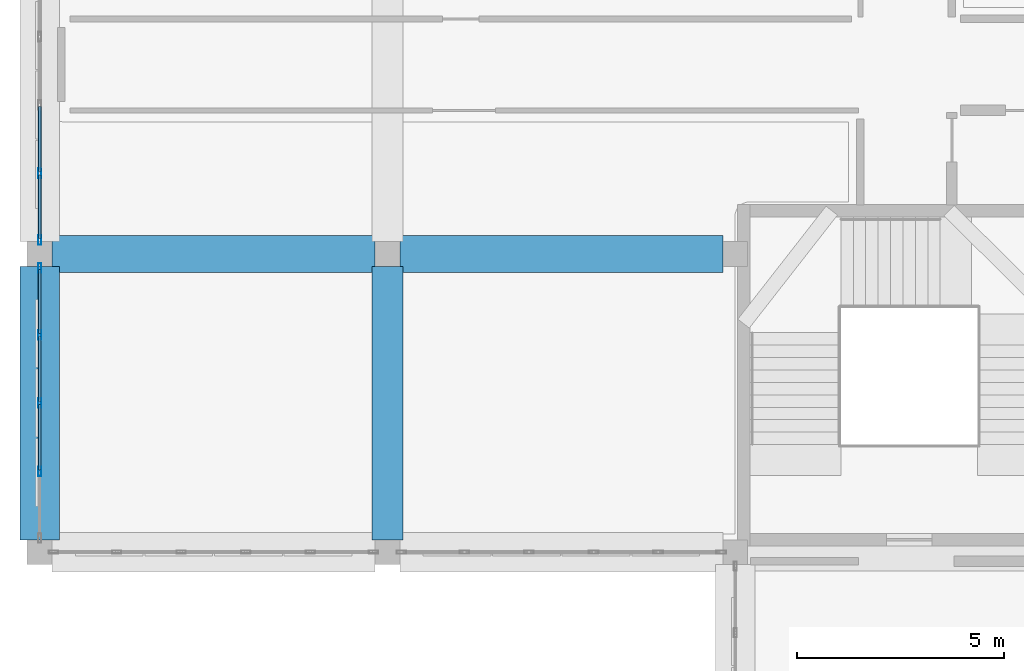
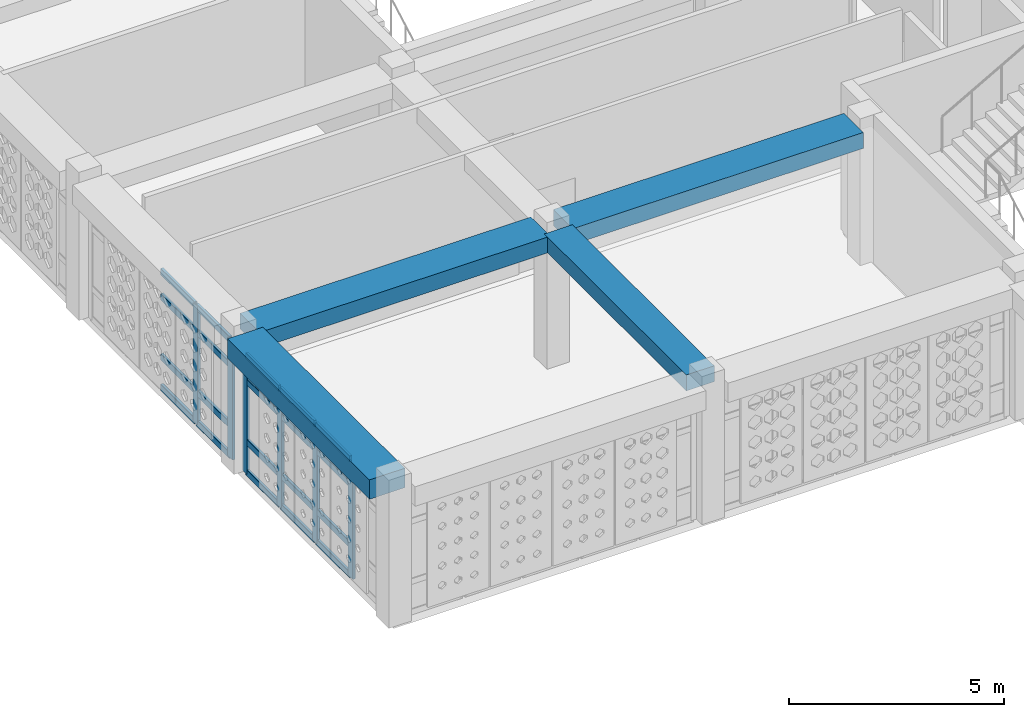
# One storey, part 5 of 48: 26 members, 4 beams, 2 elements without a shape of their own.
"""IFC4 building model written with IfcOpenShell, lengths in metres."""

from ifc_helpers import new_model, si_unit, derived_unit, direction, frame, origin, origin_2d, place, context, subcontext, project, spatial, rectangle, hollow_rectangle, extrude, material, material_profile, profile_set, type_object, element, aggregate, save


model = new_model("IFC4")

# Units and contexts
model_context = context("Model", 3, precision=1e-05, world=origin(), true_north=direction((0.0, 1.0)))
body_context = subcontext(model_context, "Body", "Model", "MODEL_VIEW")
ifc_project = project(units=[si_unit("LENGTHUNIT", "METRE"), si_unit("AREAUNIT", "SQUARE_METRE"), si_unit("VOLUMEUNIT", "CUBIC_METRE"), si_unit("PLANEANGLEUNIT", "RADIAN"), si_unit("MASSUNIT", "GRAM", prefix="KILO"), derived_unit("THERMALTRANSMITTANCEUNIT", [(si_unit("POWERUNIT", "WATT"), 1), (si_unit("LENGTHUNIT", "METRE"), -2), (si_unit("THERMODYNAMICTEMPERATUREUNIT", "KELVIN"), -1)])], contexts=[model_context])

# Site, building, storey
site_placement = place(None, origin())
site = spatial("IfcSite", under=ifc_project, at=site_placement, CompositionType="ELEMENT")
building_placement = place(site_placement, origin())
building = spatial("IfcBuilding", under=site, at=building_placement, Name="Veybourne Emporium", CompositionType="ELEMENT")
storey_placement = place(building_placement, frame((0.0, 0.0, 27.89990234375)))
storey = spatial("IfcBuildingStorey", under=building, at=storey_placement, Name="L06", CompositionType="ELEMENT", Elevation=27.89990234375)

# Curtain wall, members
ifc_material_1 = material(Name="Patinated Architectural Bronze", Category="bronze")
curtain_wall_type_1 = type_object("IfcCurtainWallType", Name="CWSystem_CWS-10", PredefinedType="NOTDEFINED", material=ifc_material_1)
curtain_wall_1_placement = place(storey_placement, origin())
curtain_wall_1 = element("IfcCurtainWall", 1, at=curtain_wall_1_placement, inside=storey, type_object=curtain_wall_type_1, Name="L06 bronze glazed curtain wall CWS-10 (002)", PredefinedType="NOTDEFINED")
ifc_material_profile_1 = material_profile(ifc_material_1, hollow_rectangle(XDim=0.074951171875, YDim=0.22998046875, WallThickness=0.0048828125, InnerFilletRadius=0.007568359375, OuterFilletRadius=0.012451171875, at=origin_2d()), Name="CWM 75x230x5")
ifc_profile_set_1 = profile_set([ifc_material_profile_1], Name="Patinated Architectural Bronze")
member_type_1 = type_object("IfcMemberType", Name="CWMullion_CW-M2", PredefinedType="MULLION", material=ifc_profile_set_1)
member_1_placement = place(storey_placement, frame((0.0, 16.35009765625, 0.0), z_axis=(0.0, 0.0, 1.0), x_axis=(-1.0, 0.0, 0.0)))
member_1 = element("IfcMember", 2, at=member_1_placement, type_object=member_type_1, Name="CWS-10 mullion 2", PredefinedType="MULLION", context=body_context, shape_type="SweptSolid", body=[
    extrude(hollow_rectangle(XDim=0.074951171875, YDim=0.22998046875, WallThickness=0.0048828125, InnerFilletRadius=0.007568359375, OuterFilletRadius=0.012451171875, at=origin_2d()), origin(), (0.0, 0.0, 1.0), 3.360107421875),
])
member_2_placement = place(storey_placement, frame((0.0, 18.0, 0.0), z_axis=(0.0, 0.0, 1.0), x_axis=(-1.0, 0.0, 0.0)))
member_2 = element("IfcMember", 3, at=member_2_placement, type_object=member_type_1, Name="CWS-10 mullion 3", PredefinedType="MULLION", context=body_context, shape_type="SweptSolid", body=[
    extrude(hollow_rectangle(XDim=0.074951171875, YDim=0.22998046875, WallThickness=0.0048828125, InnerFilletRadius=0.007568359375, OuterFilletRadius=0.012451171875, at=origin_2d()), origin(), (0.0, 0.0, 1.0), 3.360107421875),
])
member_3_placement = place(storey_placement, frame((0.0, 19.64990234375, 0.0), z_axis=(0.0, 0.0, 1.0), x_axis=(-1.0, 0.0, 0.0)))
member_3 = element("IfcMember", 4, at=member_3_placement, type_object=member_type_1, Name="CWS-10 mullion 4", PredefinedType="MULLION", context=body_context, shape_type="SweptSolid", body=[
    extrude(hollow_rectangle(XDim=0.074951171875, YDim=0.22998046875, WallThickness=0.0048828125, InnerFilletRadius=0.007568359375, OuterFilletRadius=0.012451171875, at=origin_2d()), origin(), (0.0, 0.0, 1.0), 3.360107421875),
])
member_4_placement = place(storey_placement, frame((0.0, 21.262451171875, 0.0), z_axis=(0.0, 0.0, 1.0), x_axis=(-1.0, 0.0, 0.0)))
member_4 = element("IfcMember", 5, at=member_4_placement, type_object=member_type_1, Name="CWS-10 mullion 5", PredefinedType="MULLION", context=body_context, shape_type="SweptSolid", body=[
    extrude(hollow_rectangle(XDim=0.074951171875, YDim=0.22998046875, WallThickness=0.0048828125, InnerFilletRadius=0.007568359375, OuterFilletRadius=0.012451171875, at=origin_2d()), origin(), (0.0, 0.0, 1.0), 3.360107421875),
])

curtain_wall_type_2 = type_object("IfcCurtainWallType", Name="CWSystem_CWS-11", PredefinedType="NOTDEFINED", material=ifc_material_1)
curtain_wall_2_placement = place(storey_placement, origin())
curtain_wall_2 = element("IfcCurtainWall", 6, at=curtain_wall_2_placement, inside=storey, type_object=curtain_wall_type_2, Name="L06 bronze glazed curtain wall CWS-11 (003)", PredefinedType="NOTDEFINED")
ifc_material_profile_2 = material_profile(ifc_material_1, hollow_rectangle(XDim=0.077880859375, YDim=0.235107421875, WallThickness=0.0048828125, InnerFilletRadius=0.007568359375, OuterFilletRadius=0.012451171875, at=origin_2d()), Name="CWM 78x235x5")
ifc_profile_set_2 = profile_set([ifc_material_profile_2], Name="Patinated Architectural Bronze")
member_type_2 = type_object("IfcMemberType", Name="CWMullion_CW-M3", PredefinedType="MULLION", material=ifc_profile_set_2)
member_5_placement = place(storey_placement, frame((0.0, 21.93896484375, 0.0), z_axis=(0.0, 0.0, 1.0), x_axis=(-1.0, 0.0, 0.0)))
member_5 = element("IfcMember", 7, at=member_5_placement, type_object=member_type_2, Name="CWS-11 mullion 1", PredefinedType="MULLION", context=body_context, shape_type="SweptSolid", body=[
    extrude(hollow_rectangle(XDim=0.077880859375, YDim=0.235107421875, WallThickness=0.0048828125, InnerFilletRadius=0.007568359375, OuterFilletRadius=0.012451171875, at=origin_2d()), origin(), (0.0, 0.0, 1.0), 3.360107421875),
])
member_6_placement = place(storey_placement, frame((0.0, 23.550048828125, 0.0), z_axis=(0.0, 0.0, 1.0), x_axis=(-1.0, 0.0, 0.0)))
member_6 = element("IfcMember", 8, at=member_6_placement, type_object=member_type_2, Name="CWS-11 mullion 2", PredefinedType="MULLION", context=body_context, shape_type="SweptSolid", body=[
    extrude(hollow_rectangle(XDim=0.077880859375, YDim=0.235107421875, WallThickness=0.0048828125, InnerFilletRadius=0.007568359375, OuterFilletRadius=0.012451171875, at=origin_2d()), origin(), (0.0, 0.0, 1.0), 3.360107421875),
])

# Member
ifc_material_profile_3 = material_profile(ifc_material_1, hollow_rectangle(XDim=0.074951171875, YDim=0.179931640625, WallThickness=0.0048828125, InnerFilletRadius=0.007568359375, OuterFilletRadius=0.012451171875, at=origin_2d()), Name="CWT 75x180x5")
ifc_profile_set_3 = profile_set([ifc_material_profile_3], Name="Patinated Architectural Bronze")
member_type_3 = type_object("IfcMemberType", Name="CWTransom_CW-T2", PredefinedType="NOTDEFINED", material=ifc_profile_set_3)
member_7_placement = place(storey_placement, frame((0.0, 16.387451171875, 0.03759765625), z_axis=(0.0, 1.0, 0.0), x_axis=(-1.0, 0.0, 0.0)))
member_7 = element("IfcMember", 9, at=member_7_placement, type_object=member_type_3, Name="CWS-10 transom 2.1", ObjectType="TRANSOM", PredefinedType="USERDEFINED", context=body_context, shape_type="SweptSolid", body=[
    extrude(hollow_rectangle(XDim=0.074951171875, YDim=0.179931640625, WallThickness=0.0048828125, InnerFilletRadius=0.007568359375, OuterFilletRadius=0.012451171875, at=origin_2d()), origin(), (0.0, 0.0, 1.0), 1.574951171875),
])

member_8_placement = place(storey_placement, frame((0.0, 16.387451171875, 0.900146484375), z_axis=(0.0, 1.0, 0.0), x_axis=(-1.0, 0.0, 0.0)))
member_8 = element("IfcMember", 10, at=member_8_placement, type_object=member_type_3, Name="CWS-10 transom 2.2", ObjectType="TRANSOM", PredefinedType="USERDEFINED", context=body_context, shape_type="SweptSolid", body=[
    extrude(hollow_rectangle(XDim=0.074951171875, YDim=0.179931640625, WallThickness=0.0048828125, InnerFilletRadius=0.007568359375, OuterFilletRadius=0.012451171875, at=origin_2d()), origin(), (0.0, 0.0, 1.0), 1.574951171875),
])

member_9_placement = place(storey_placement, frame((0.0, 16.387451171875, 2.610107421875), z_axis=(0.0, 1.0, 0.0), x_axis=(-1.0, 0.0, 0.0)))
member_9 = element("IfcMember", 11, at=member_9_placement, type_object=member_type_3, Name="CWS-10 transom 2.3", ObjectType="TRANSOM", PredefinedType="USERDEFINED", context=body_context, shape_type="SweptSolid", body=[
    extrude(hollow_rectangle(XDim=0.074951171875, YDim=0.179931640625, WallThickness=0.0048828125, InnerFilletRadius=0.007568359375, OuterFilletRadius=0.012451171875, at=origin_2d()), origin(), (0.0, 0.0, 1.0), 1.574951171875),
])

member_10_placement = place(storey_placement, frame((0.0, 16.387451171875, 3.322509765625), z_axis=(0.0, 1.0, 0.0), x_axis=(-1.0, 0.0, 0.0)))
member_10 = element("IfcMember", 12, at=member_10_placement, type_object=member_type_3, Name="CWS-10 transom 2.4", ObjectType="TRANSOM", PredefinedType="USERDEFINED", context=body_context, shape_type="SweptSolid", body=[
    extrude(hollow_rectangle(XDim=0.074951171875, YDim=0.179931640625, WallThickness=0.0048828125, InnerFilletRadius=0.007568359375, OuterFilletRadius=0.012451171875, at=origin_2d()), origin(), (0.0, 0.0, 1.0), 1.574951171875),
])

member_11_placement = place(storey_placement, frame((0.0, 18.03759765625, 0.03759765625), z_axis=(0.0, 1.0, 0.0), x_axis=(-1.0, 0.0, 0.0)))
member_11 = element("IfcMember", 13, at=member_11_placement, type_object=member_type_3, Name="CWS-10 transom 3.1", ObjectType="TRANSOM", PredefinedType="USERDEFINED", context=body_context, shape_type="SweptSolid", body=[
    extrude(hollow_rectangle(XDim=0.074951171875, YDim=0.179931640625, WallThickness=0.0048828125, InnerFilletRadius=0.007568359375, OuterFilletRadius=0.012451171875, at=origin_2d()), origin(), (0.0, 0.0, 1.0), 1.574951171875),
])

member_12_placement = place(storey_placement, frame((0.0, 18.03759765625, 0.900146484375), z_axis=(0.0, 1.0, 0.0), x_axis=(-1.0, 0.0, 0.0)))
member_12 = element("IfcMember", 14, at=member_12_placement, type_object=member_type_3, Name="CWS-10 transom 3.2", ObjectType="TRANSOM", PredefinedType="USERDEFINED", context=body_context, shape_type="SweptSolid", body=[
    extrude(hollow_rectangle(XDim=0.074951171875, YDim=0.179931640625, WallThickness=0.0048828125, InnerFilletRadius=0.007568359375, OuterFilletRadius=0.012451171875, at=origin_2d()), origin(), (0.0, 0.0, 1.0), 1.574951171875),
])

member_13_placement = place(storey_placement, frame((0.0, 18.03759765625, 2.610107421875), z_axis=(0.0, 1.0, 0.0), x_axis=(-1.0, 0.0, 0.0)))
member_13 = element("IfcMember", 15, at=member_13_placement, type_object=member_type_3, Name="CWS-10 transom 3.3", ObjectType="TRANSOM", PredefinedType="USERDEFINED", context=body_context, shape_type="SweptSolid", body=[
    extrude(hollow_rectangle(XDim=0.074951171875, YDim=0.179931640625, WallThickness=0.0048828125, InnerFilletRadius=0.007568359375, OuterFilletRadius=0.012451171875, at=origin_2d()), origin(), (0.0, 0.0, 1.0), 1.574951171875),
])

member_14_placement = place(storey_placement, frame((0.0, 18.03759765625, 3.322509765625), z_axis=(0.0, 1.0, 0.0), x_axis=(-1.0, 0.0, 0.0)))
member_14 = element("IfcMember", 16, at=member_14_placement, type_object=member_type_3, Name="CWS-10 transom 3.4", ObjectType="TRANSOM", PredefinedType="USERDEFINED", context=body_context, shape_type="SweptSolid", body=[
    extrude(hollow_rectangle(XDim=0.074951171875, YDim=0.179931640625, WallThickness=0.0048828125, InnerFilletRadius=0.007568359375, OuterFilletRadius=0.012451171875, at=origin_2d()), origin(), (0.0, 0.0, 1.0), 1.574951171875),
])

member_15_placement = place(storey_placement, frame((0.0, 19.6875, 0.03759765625), z_axis=(0.0, 1.0, 0.0), x_axis=(-1.0, 0.0, 0.0)))
member_15 = element("IfcMember", 17, at=member_15_placement, type_object=member_type_3, Name="CWS-10 transom 4.1", ObjectType="TRANSOM", PredefinedType="USERDEFINED", context=body_context, shape_type="SweptSolid", body=[
    extrude(hollow_rectangle(XDim=0.074951171875, YDim=0.179931640625, WallThickness=0.0048828125, InnerFilletRadius=0.007568359375, OuterFilletRadius=0.012451171875, at=origin_2d()), origin(), (0.0, 0.0, 1.0), 1.53759765625),
])

member_16_placement = place(storey_placement, frame((0.0, 19.6875, 0.900146484375), z_axis=(0.0, 1.0, 0.0), x_axis=(-1.0, 0.0, 0.0)))
member_16 = element("IfcMember", 18, at=member_16_placement, type_object=member_type_3, Name="CWS-10 transom 4.2", ObjectType="TRANSOM", PredefinedType="USERDEFINED", context=body_context, shape_type="SweptSolid", body=[
    extrude(hollow_rectangle(XDim=0.074951171875, YDim=0.179931640625, WallThickness=0.0048828125, InnerFilletRadius=0.007568359375, OuterFilletRadius=0.012451171875, at=origin_2d()), origin(), (0.0, 0.0, 1.0), 1.53759765625),
])

member_17_placement = place(storey_placement, frame((0.0, 19.6875, 2.610107421875), z_axis=(0.0, 1.0, 0.0), x_axis=(-1.0, 0.0, 0.0)))
member_17 = element("IfcMember", 19, at=member_17_placement, type_object=member_type_3, Name="CWS-10 transom 4.3", ObjectType="TRANSOM", PredefinedType="USERDEFINED", context=body_context, shape_type="SweptSolid", body=[
    extrude(hollow_rectangle(XDim=0.074951171875, YDim=0.179931640625, WallThickness=0.0048828125, InnerFilletRadius=0.007568359375, OuterFilletRadius=0.012451171875, at=origin_2d()), origin(), (0.0, 0.0, 1.0), 1.53759765625),
])

member_18_placement = place(storey_placement, frame((0.0, 19.6875, 3.322509765625), z_axis=(0.0, 1.0, 0.0), x_axis=(-1.0, 0.0, 0.0)))
member_18 = element("IfcMember", 20, at=member_18_placement, type_object=member_type_3, Name="CWS-10 transom 4.4", ObjectType="TRANSOM", PredefinedType="USERDEFINED", context=body_context, shape_type="SweptSolid", body=[
    extrude(hollow_rectangle(XDim=0.074951171875, YDim=0.179931640625, WallThickness=0.0048828125, InnerFilletRadius=0.007568359375, OuterFilletRadius=0.012451171875, at=origin_2d()), origin(), (0.0, 0.0, 1.0), 1.53759765625),
])

aggregate(curtain_wall_1, [member_1, member_2, member_3, member_4, member_7, member_8, member_9, member_10, member_11, member_12, member_13, member_14, member_15, member_16, member_17, member_18])

ifc_material_profile_4 = material_profile(ifc_material_1, hollow_rectangle(XDim=0.077880859375, YDim=0.18505859375, WallThickness=0.0048828125, InnerFilletRadius=0.007568359375, OuterFilletRadius=0.012451171875, at=origin_2d()), Name="CWT 78x185x5")
ifc_profile_set_4 = profile_set([ifc_material_profile_4], Name="Patinated Architectural Bronze")
member_type_4 = type_object("IfcMemberType", Name="CWTransom_CW-T3", PredefinedType="NOTDEFINED", material=ifc_profile_set_4)
member_19_placement = place(storey_placement, frame((0.0, 21.97802734375, 0.0390625), z_axis=(0.0, 1.0, 0.0), x_axis=(-1.0, 0.0, 0.0)))
member_19 = element("IfcMember", 21, at=member_19_placement, type_object=member_type_4, Name="CWS-11 transom 1.1", ObjectType="TRANSOM", PredefinedType="USERDEFINED", context=body_context, shape_type="SweptSolid", body=[
    extrude(hollow_rectangle(XDim=0.077880859375, YDim=0.18505859375, WallThickness=0.0048828125, InnerFilletRadius=0.007568359375, OuterFilletRadius=0.012451171875, at=origin_2d()), origin(), (0.0, 0.0, 1.0), 1.532958984375),
])

member_20_placement = place(storey_placement, frame((0.0, 21.97802734375, 0.900146484375), z_axis=(0.0, 1.0, 0.0), x_axis=(-1.0, 0.0, 0.0)))
member_20 = element("IfcMember", 22, at=member_20_placement, type_object=member_type_4, Name="CWS-11 transom 1.2", ObjectType="TRANSOM", PredefinedType="USERDEFINED", context=body_context, shape_type="SweptSolid", body=[
    extrude(hollow_rectangle(XDim=0.077880859375, YDim=0.18505859375, WallThickness=0.0048828125, InnerFilletRadius=0.007568359375, OuterFilletRadius=0.012451171875, at=origin_2d()), origin(), (0.0, 0.0, 1.0), 1.532958984375),
])

member_21_placement = place(storey_placement, frame((0.0, 21.97802734375, 2.610107421875), z_axis=(0.0, 1.0, 0.0), x_axis=(-1.0, 0.0, 0.0)))
member_21 = element("IfcMember", 23, at=member_21_placement, type_object=member_type_4, Name="CWS-11 transom 1.3", ObjectType="TRANSOM", PredefinedType="USERDEFINED", context=body_context, shape_type="SweptSolid", body=[
    extrude(hollow_rectangle(XDim=0.077880859375, YDim=0.18505859375, WallThickness=0.0048828125, InnerFilletRadius=0.007568359375, OuterFilletRadius=0.012451171875, at=origin_2d()), origin(), (0.0, 0.0, 1.0), 1.532958984375),
])

member_22_placement = place(storey_placement, frame((0.0, 21.97802734375, 3.321044921875), z_axis=(0.0, 1.0, 0.0), x_axis=(-1.0, 0.0, 0.0)))
member_22 = element("IfcMember", 24, at=member_22_placement, type_object=member_type_4, Name="CWS-11 transom 1.4", ObjectType="TRANSOM", PredefinedType="USERDEFINED", context=body_context, shape_type="SweptSolid", body=[
    extrude(hollow_rectangle(XDim=0.077880859375, YDim=0.18505859375, WallThickness=0.0048828125, InnerFilletRadius=0.007568359375, OuterFilletRadius=0.012451171875, at=origin_2d()), origin(), (0.0, 0.0, 1.0), 1.532958984375),
])

member_23_placement = place(storey_placement, frame((0.0, 23.589111328125, 0.0390625), z_axis=(0.0, 1.0, 0.0), x_axis=(-1.0, 0.0, 0.0)))
member_23 = element("IfcMember", 25, at=member_23_placement, type_object=member_type_4, Name="CWS-11 transom 2.1", ObjectType="TRANSOM", PredefinedType="USERDEFINED", context=body_context, shape_type="SweptSolid", body=[
    extrude(hollow_rectangle(XDim=0.077880859375, YDim=0.18505859375, WallThickness=0.0048828125, InnerFilletRadius=0.007568359375, OuterFilletRadius=0.012451171875, at=origin_2d()), origin(), (0.0, 0.0, 1.0), 1.57177734375),
])

member_24_placement = place(storey_placement, frame((0.0, 23.589111328125, 0.900146484375), z_axis=(0.0, 1.0, 0.0), x_axis=(-1.0, 0.0, 0.0)))
member_24 = element("IfcMember", 26, at=member_24_placement, type_object=member_type_4, Name="CWS-11 transom 2.2", ObjectType="TRANSOM", PredefinedType="USERDEFINED", context=body_context, shape_type="SweptSolid", body=[
    extrude(hollow_rectangle(XDim=0.077880859375, YDim=0.18505859375, WallThickness=0.0048828125, InnerFilletRadius=0.007568359375, OuterFilletRadius=0.012451171875, at=origin_2d()), origin(), (0.0, 0.0, 1.0), 1.57177734375),
])

member_25_placement = place(storey_placement, frame((0.0, 23.589111328125, 2.610107421875), z_axis=(0.0, 1.0, 0.0), x_axis=(-1.0, 0.0, 0.0)))
member_25 = element("IfcMember", 27, at=member_25_placement, type_object=member_type_4, Name="CWS-11 transom 2.3", ObjectType="TRANSOM", PredefinedType="USERDEFINED", context=body_context, shape_type="SweptSolid", body=[
    extrude(hollow_rectangle(XDim=0.077880859375, YDim=0.18505859375, WallThickness=0.0048828125, InnerFilletRadius=0.007568359375, OuterFilletRadius=0.012451171875, at=origin_2d()), origin(), (0.0, 0.0, 1.0), 1.57177734375),
])

member_26_placement = place(storey_placement, frame((0.0, 23.589111328125, 3.321044921875), z_axis=(0.0, 1.0, 0.0), x_axis=(-1.0, 0.0, 0.0)))
member_26 = element("IfcMember", 28, at=member_26_placement, type_object=member_type_4, Name="CWS-11 transom 2.4", ObjectType="TRANSOM", PredefinedType="USERDEFINED", context=body_context, shape_type="SweptSolid", body=[
    extrude(hollow_rectangle(XDim=0.077880859375, YDim=0.18505859375, WallThickness=0.0048828125, InnerFilletRadius=0.007568359375, OuterFilletRadius=0.012451171875, at=origin_2d()), origin(), (0.0, 0.0, 1.0), 1.57177734375),
])

aggregate(curtain_wall_2, [member_5, member_6, member_19, member_20, member_21, member_22, member_23, member_24, member_25, member_26])

# Beams
ifc_material_2 = material(Name="Concrete C32/40", Category="concrete")
ifc_material_profile_5 = material_profile(ifc_material_2, rectangle(XDim=0.89990234375, YDim=0.449951171875, at=origin_2d()), Name="RC 900x450")
ifc_profile_set_5 = profile_set([ifc_material_profile_5], Name="Concrete C32/40")
beam_type_1 = type_object("IfcBeamType", Name="RCBeam_BB-03", PredefinedType="BEAM", material=ifc_profile_set_5)
for number, where, z_axis, x_axis, name in (
    (29, (0.300048828125, 21.60009765625, 3.68505859375), (1.0, 0.0, 0.0), (0.0, 1.0, 0.0), "L06 X-grid beam BB-03 (0,3)"),
    (30, (8.699951171875, 21.60009765625, 3.68505859375), (1.0, 0.0, 0.0), (0.0, 1.0, 0.0), "L06 X-grid beam BB-03 (1,3)"),
):
    element("IfcBeam", number, at=place(storey_placement, frame(where, z_axis=z_axis, x_axis=x_axis)), inside=storey, type_object=beam_type_1, Name=name, PredefinedType="BEAM", context=body_context, shape_type="SweptSolid", body=[
        extrude(rectangle(XDim=0.89990234375, YDim=0.449951171875, at=origin_2d()), origin(), (0.0, 0.0, 1.0), 7.800048828125),
    ])
ifc_material_profile_6 = material_profile(ifc_material_2, rectangle(XDim=0.75, YDim=0.449951171875, at=origin_2d()), Name="RC 750x450")
ifc_profile_set_6 = profile_set([ifc_material_profile_6], Name="Concrete C32/40")
beam_type_2 = type_object("IfcBeamType", Name="RCBeam_BB-04", PredefinedType="BEAM", material=ifc_profile_set_6)
beam_1_placement = place(storey_placement, frame((8.39990234375, 14.699951171875, 3.68505859375), z_axis=(0.0, 1.0, 0.0), x_axis=(-1.0, 0.0, 0.0)))
element("IfcBeam", 31, at=beam_1_placement, inside=storey, type_object=beam_type_2, Name="L06 Y-grid beam BB-04 (1,2)", PredefinedType="BEAM", context=body_context, shape_type="SweptSolid", body=[
    extrude(rectangle(XDim=0.75, YDim=0.449951171875, at=origin_2d()), origin(), (0.0, 0.0, 1.0), 6.60009765625),
])
ifc_material_profile_7 = material_profile(ifc_material_2, rectangle(XDim=0.949951171875, YDim=0.550048828125, at=origin_2d()), Name="RC 950x550")
ifc_profile_set_7 = profile_set([ifc_material_profile_7], Name="Concrete C32/40")
beam_type_3 = type_object("IfcBeamType", Name="RCBeam_EB-01", PredefinedType="SPANDREL", material=ifc_profile_set_7)
beam_2_placement = place(storey_placement, frame((0.0, 14.699951171875, 3.635009765625), z_axis=(0.0, 1.0, 0.0), x_axis=(-1.0, 0.0, 0.0)))
element("IfcBeam", 32, at=beam_2_placement, inside=storey, type_object=beam_type_3, Name="L06 Y-grid beam EB-01 (0,2)", PredefinedType="SPANDREL", context=body_context, shape_type="SweptSolid", body=[
    extrude(rectangle(XDim=0.949951171875, YDim=0.550048828125, at=origin_2d()), origin(), (0.0, 0.0, 1.0), 6.60009765625),
])

save(model, "model.ifc")
